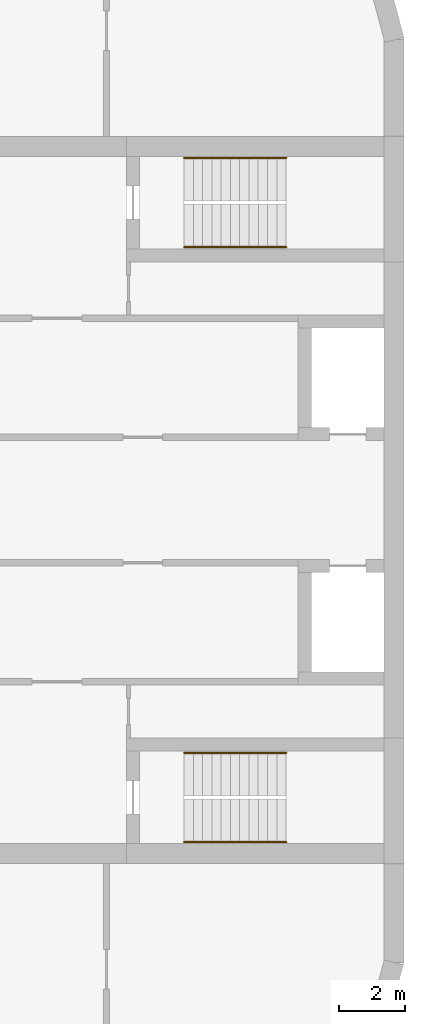
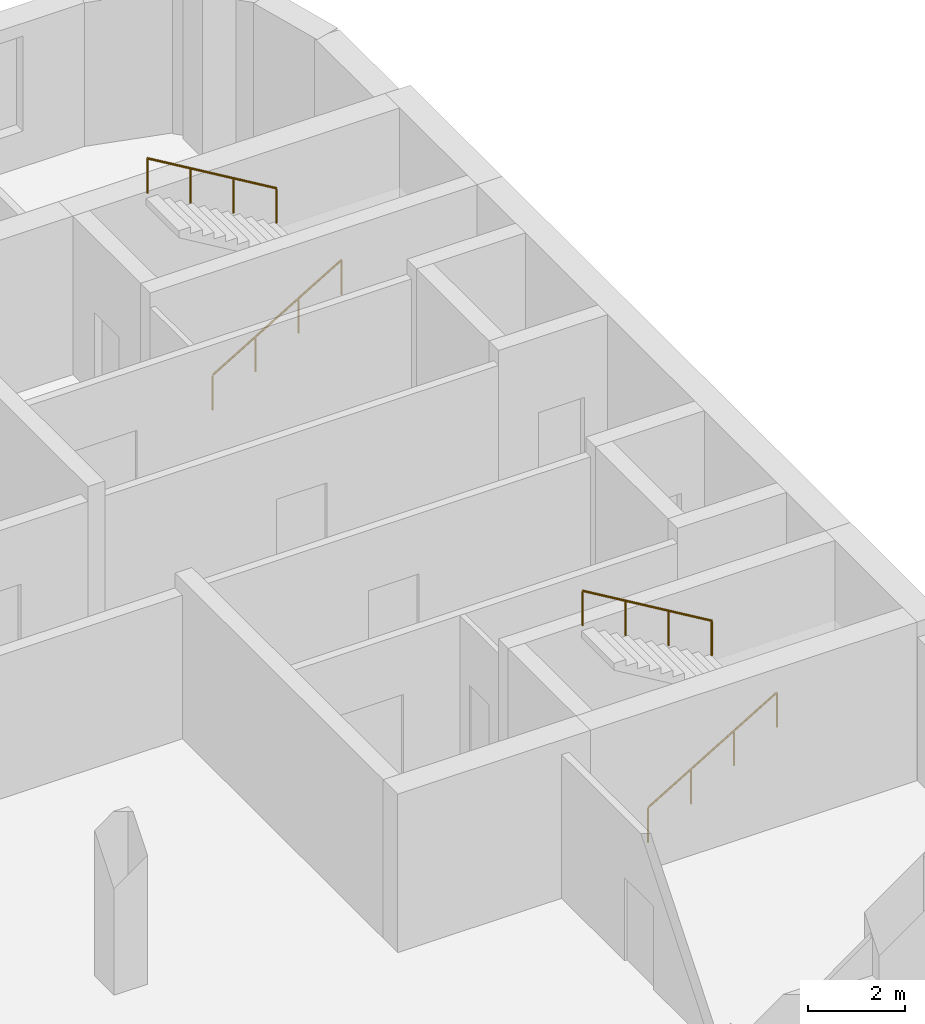
# One storey, part 12 of 12: 4 railings.
"""IFC4 building model written with IfcOpenShell, lengths in metres."""

from ifc_helpers import new_model, si_unit, direction, frame, origin, origin_2d, place, context, subcontext, project, spatial, circle, extrude, material, type_object, element, save


model = new_model("IFC4")

# Units and contexts
model_context = context("Model", 3, precision=1e-05, world=origin(), true_north=direction((0.0, 1.0)))
body_context = subcontext(model_context, "Body", "Model", "MODEL_VIEW")
ifc_project = project(units=[si_unit("LENGTHUNIT", "METRE"), si_unit("AREAUNIT", "SQUARE_METRE"), si_unit("VOLUMEUNIT", "CUBIC_METRE"), si_unit("PLANEANGLEUNIT", "RADIAN"), si_unit("MASSUNIT", "GRAM", prefix="KILO")], contexts=[model_context])

# Site, building, storey
site_placement = place(None, origin())
site = spatial("IfcSite", under=ifc_project, at=site_placement, CompositionType="ELEMENT")
building_placement = place(site_placement, origin())
building = spatial("IfcBuilding", under=site, at=building_placement, Name="Skarvind Civic Tower", CompositionType="ELEMENT")
storey_placement = place(building_placement, frame((0.0, 0.0, 47.5)))
storey = spatial("IfcBuildingStorey", under=building, at=storey_placement, Name="L10", CompositionType="ELEMENT", Elevation=47.5)

# Railings
ifc_material = material(Name="Painted steel handrail", Category="steel")
railing_type = type_object("IfcRailingType", Name="Stair handrail 900", PredefinedType="HANDRAIL", material=ifc_material)
railing_1_placement = place(storey_placement, frame((160.35009765625, 135.64990234375, 0.166748046875)))
element("IfcRailing", 1, at=railing_1_placement, inside=storey, type_object=railing_type, Name="Stair handrail", PredefinedType="HANDRAIL", context=body_context, shape_type="SweptSolid", body=[
    extrude(circle(Radius=0.02392578125, at=origin_2d()), frame((0.0, 0.0, 0.8759765625), z_axis=(0.859290745958, 0.0, 0.51148745235), x_axis=(0.0, 1.0, 0.0)), (0.0, 0.0, 1.0), 3.584228515625),
    extrude(circle(Radius=0.02099609375, at=origin_2d()), origin(), (0.0, 0.0, 1.0), 0.851806640625),
    extrude(circle(Radius=0.02099609375, at=origin_2d()), frame((1.026611328125, 0.0, 0.611083984375)), (0.0, 0.0, 1.0), 0.851806640625),
    extrude(circle(Radius=0.02099609375, at=origin_2d()), frame((2.05322265625, 0.0, 1.22216796875)), (0.0, 0.0, 1.0), 0.851806640625),
    extrude(circle(Radius=0.02099609375, at=origin_2d()), frame((3.079833984375, 0.0, 1.833251953125)), (0.0, 0.0, 1.0), 0.851806640625),
])
railing_2_placement = place(storey_placement, frame((163.429931640625, 138.35009765625, 2.166748046875)))
element("IfcRailing", 2, at=railing_2_placement, inside=storey, type_object=railing_type, Name="Stair handrail", PredefinedType="HANDRAIL", context=body_context, shape_type="SweptSolid", body=[
    extrude(circle(Radius=0.02392578125, at=origin_2d()), frame((0.0, 0.0, 0.8759765625), z_axis=(-0.859290745958, 0.0, 0.51148745235), x_axis=(0.0, -1.0, 0.0)), (0.0, 0.0, 1.0), 3.584228515625),
    extrude(circle(Radius=0.02099609375, at=origin_2d()), origin(), (0.0, 0.0, 1.0), 0.851806640625),
    extrude(circle(Radius=0.02099609375, at=origin_2d()), frame((-1.026611328125, 0.0, 0.611083984375)), (0.0, 0.0, 1.0), 0.851806640625),
    extrude(circle(Radius=0.02099609375, at=origin_2d()), frame((-2.05322265625, 0.0, 1.22216796875)), (0.0, 0.0, 1.0), 0.851806640625),
    extrude(circle(Radius=0.02099609375, at=origin_2d()), frame((-3.079833984375, 0.0, 1.833251953125)), (0.0, 0.0, 1.0), 0.851806640625),
])
railing_3_placement = place(storey_placement, frame((160.35009765625, 117.64990234375, 0.166748046875)))
element("IfcRailing", 3, at=railing_3_placement, inside=storey, type_object=railing_type, Name="Stair handrail", PredefinedType="HANDRAIL", context=body_context, shape_type="SweptSolid", body=[
    extrude(circle(Radius=0.02392578125, at=origin_2d()), frame((0.0, 0.0, 0.8759765625), z_axis=(0.859290745958, 0.0, 0.51148745235), x_axis=(0.0, 1.0, 0.0)), (0.0, 0.0, 1.0), 3.584228515625),
    extrude(circle(Radius=0.02099609375, at=origin_2d()), origin(), (0.0, 0.0, 1.0), 0.851806640625),
    extrude(circle(Radius=0.02099609375, at=origin_2d()), frame((1.026611328125, 0.0, 0.611083984375)), (0.0, 0.0, 1.0), 0.851806640625),
    extrude(circle(Radius=0.02099609375, at=origin_2d()), frame((2.05322265625, 0.0, 1.22216796875)), (0.0, 0.0, 1.0), 0.851806640625),
    extrude(circle(Radius=0.02099609375, at=origin_2d()), frame((3.079833984375, 0.0, 1.833251953125)), (0.0, 0.0, 1.0), 0.851806640625),
])
railing_4_placement = place(storey_placement, frame((163.429931640625, 120.35009765625, 2.166748046875)))
element("IfcRailing", 4, at=railing_4_placement, inside=storey, type_object=railing_type, Name="Stair handrail", PredefinedType="HANDRAIL", context=body_context, shape_type="SweptSolid", body=[
    extrude(circle(Radius=0.02392578125, at=origin_2d()), frame((0.0, 0.0, 0.8759765625), z_axis=(-0.859290745958, 0.0, 0.51148745235), x_axis=(0.0, -1.0, 0.0)), (0.0, 0.0, 1.0), 3.584228515625),
    extrude(circle(Radius=0.02099609375, at=origin_2d()), origin(), (0.0, 0.0, 1.0), 0.851806640625),
    extrude(circle(Radius=0.02099609375, at=origin_2d()), frame((-1.026611328125, 0.0, 0.611083984375)), (0.0, 0.0, 1.0), 0.851806640625),
    extrude(circle(Radius=0.02099609375, at=origin_2d()), frame((-2.05322265625, 0.0, 1.22216796875)), (0.0, 0.0, 1.0), 0.851806640625),
    extrude(circle(Radius=0.02099609375, at=origin_2d()), frame((-3.079833984375, 0.0, 1.833251953125)), (0.0, 0.0, 1.0), 0.851806640625),
])

save(model, "model.ifc")
